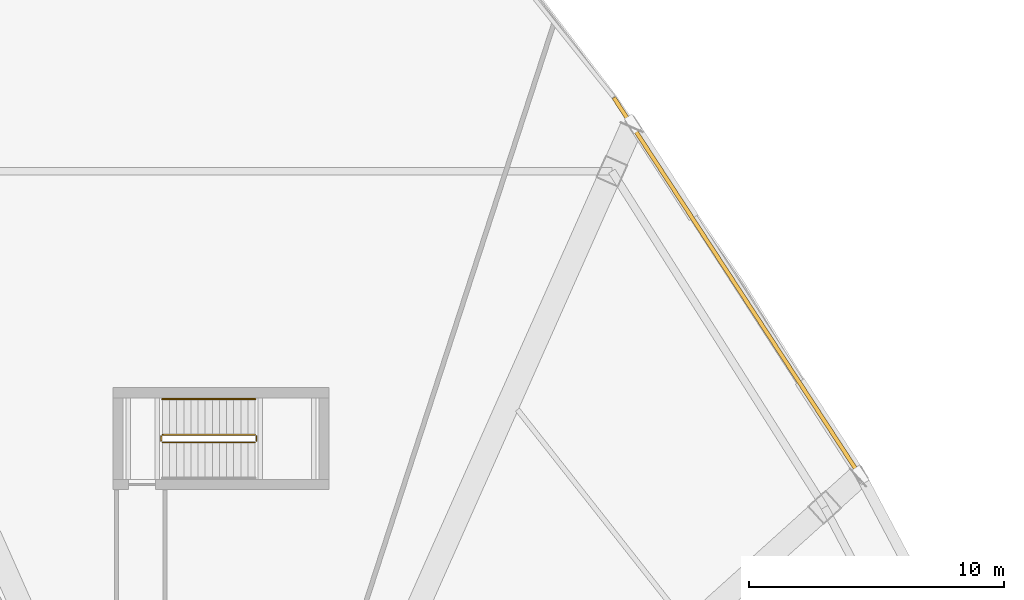
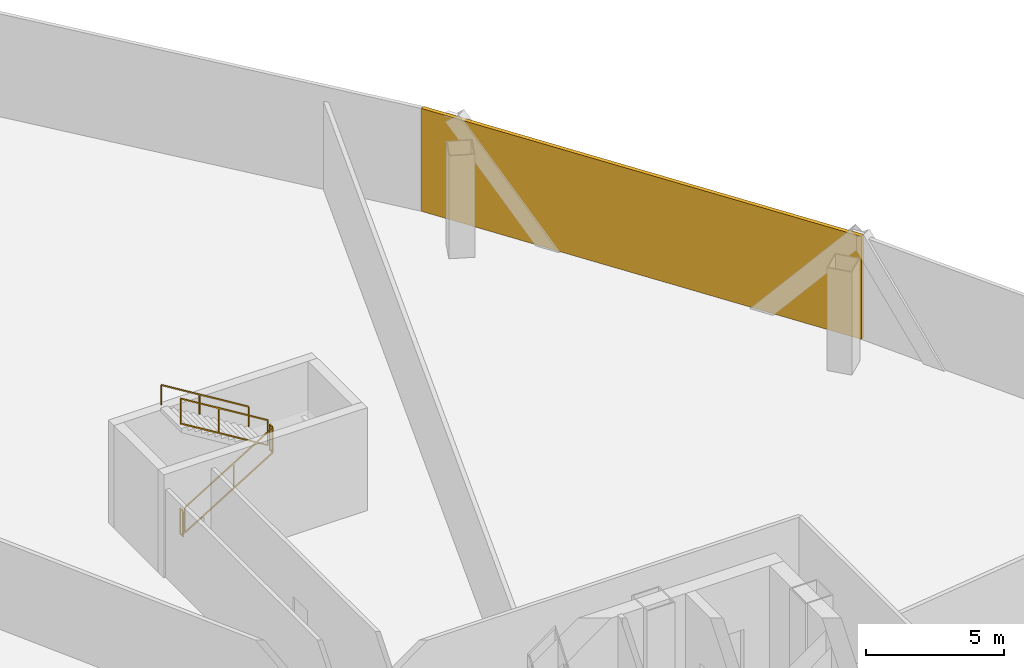
# One storey, part 14 of 15: 5 railings, 1 shading device.
"""IFC4 building model written with IfcOpenShell, lengths in metres."""

from ifc_helpers import new_model, si_unit, direction, frame, origin, origin_2d, place, context, subcontext, project, spatial, rectangle, extrude, source, transform, mapped, material, layer, layer_set, type_object, element, save


model = new_model("IFC4")

# Units and contexts
model_context = context("Model", 3, precision=1e-05, world=origin(), true_north=direction((0.0, 1.0)))
body_context = subcontext(model_context, "Body", "Model", "MODEL_VIEW")
ifc_project = project(units=[si_unit("LENGTHUNIT", "METRE"), si_unit("AREAUNIT", "SQUARE_METRE"), si_unit("VOLUMEUNIT", "CUBIC_METRE"), si_unit("PLANEANGLEUNIT", "RADIAN"), si_unit("MASSUNIT", "GRAM", prefix="KILO"), si_unit("THERMODYNAMICTEMPERATUREUNIT", "KELVIN"), si_unit("POWERUNIT", "WATT")], contexts=[model_context])

# Site, building, storey
site_placement = place(None, origin())
site = spatial("IfcSite", under=ifc_project, at=site_placement, CompositionType="ELEMENT")
building_placement = place(site_placement, origin())
building = spatial("IfcBuilding", under=site, at=building_placement, Name="Yunzhuo Pagoda Commons", CompositionType="ELEMENT")
storey_placement = place(building_placement, frame((0.0, 0.0, 125.030029296875)))
storey = spatial("IfcBuildingStorey", under=building, at=storey_placement, Name="L31", CompositionType="ELEMENT", Elevation=125.030029296875)

# Railings
ifc_material = material(Name="Anodized aluminium 6063-T6", Category="aluminium")
railing_type_1 = type_object("IfcRailingType", Name="GR-ST3 North Well Guardrail 1155", PredefinedType="GUARDRAIL", material=ifc_material)
railing_1_placement = place(storey_placement, frame((45.75, 57.64990234375, 0.17138671875)))
element("IfcRailing", 1, at=railing_1_placement, inside=storey, type_object=railing_type_1, Name="L31 ST3 stair guard 1", PredefinedType="GUARDRAIL", context=body_context, shape_type="SweptSolid", body=[
    extrude(rectangle(XDim=0.048095703125, YDim=0.048095703125, at=origin_2d()), frame((0.0, 0.0, 1.1259765625), z_axis=(0.852850264322, 0.0, 0.5221555579), x_axis=(0.0, 1.0, 0.0)), (0.0, 0.0, 1.0), 4.267822265625),
    extrude(rectangle(XDim=0.048095703125, YDim=0.048095703125, at=origin_2d()), frame((0.0, 0.0, 0.02392578125), z_axis=(0.852850264322, 0.0, 0.5221555579), x_axis=(0.0, 1.0, 0.0)), (0.0, 0.0, 1.0), 4.267822265625),
    extrude(rectangle(XDim=0.0419921875, YDim=0.0419921875, at=origin_2d()), origin(), (0.0, 0.0, 1.0), 1.101806640625),
    extrude(rectangle(XDim=0.0419921875, YDim=0.0419921875, at=origin_2d()), frame((2.046875, 0.0, 1.253173828125)), (0.0, 0.0, 1.0), 1.101806640625),
    extrude(rectangle(XDim=0.0419921875, YDim=0.0419921875, at=origin_2d()), frame((3.639892578125, 0.0, 2.228515625)), (0.0, 0.0, 1.0), 1.101806640625),
])
railing_2_placement = place(storey_placement, frame((49.43994140625, 57.699951171875, 2.39990234375)))
element("IfcRailing", 2, at=railing_2_placement, inside=storey, type_object=railing_type_1, Name="L31 ST3 stair guard 2", PredefinedType="GUARDRAIL", context=body_context, shape_type="SweptSolid", body=[
    extrude(rectangle(XDim=0.048095703125, YDim=0.048095703125, at=origin_2d()), frame((0.0, 0.0, 1.1259765625), z_axis=(0.0, 1.0, 0.0), x_axis=(-1.0, 0.0, 0.0)), (0.0, 0.0, 1.0), 0.199951171875),
    extrude(rectangle(XDim=0.048095703125, YDim=0.048095703125, at=origin_2d()), frame((0.0, 0.0, 0.02392578125), z_axis=(0.0, 1.0, 0.0), x_axis=(-1.0, 0.0, 0.0)), (0.0, 0.0, 1.0), 0.199951171875),
    extrude(rectangle(XDim=0.0419921875, YDim=0.0419921875, at=origin_2d()), origin(), (0.0, 0.0, 1.0), 1.101806640625),
    extrude(rectangle(XDim=0.0419921875, YDim=0.0419921875, at=origin_2d()), frame((0.0, 0.199951171875, 0.0)), (0.0, 0.0, 1.0), 1.101806640625),
])
railing_3_placement = place(storey_placement, frame((49.389892578125, 57.949951171875, 2.5712890625)))
element("IfcRailing", 3, at=railing_3_placement, inside=storey, type_object=railing_type_1, Name="L31 ST3 stair guard 3", PredefinedType="GUARDRAIL", context=body_context, shape_type="SweptSolid", body=[
    extrude(rectangle(XDim=0.048095703125, YDim=0.048095703125, at=origin_2d()), frame((0.0, 0.0, 1.1259765625), z_axis=(-0.852824790078, 0.0, 0.522197163366), x_axis=(0.0, -1.0, 0.0)), (0.0, 0.0, 1.0), 4.26806640625),
    extrude(rectangle(XDim=0.048095703125, YDim=0.048095703125, at=origin_2d()), frame((0.0, 0.0, 0.02392578125), z_axis=(-0.852824790078, 0.0, 0.522197163366), x_axis=(0.0, -1.0, 0.0)), (0.0, 0.0, 1.0), 4.26806640625),
    extrude(rectangle(XDim=0.0419921875, YDim=0.0419921875, at=origin_2d()), origin(), (0.0, 0.0, 1.0), 1.101806640625),
    extrude(rectangle(XDim=0.0419921875, YDim=0.0419921875, at=origin_2d()), frame((-2.046875, 0.0, 1.253173828125)), (0.0, 0.0, 1.0), 1.101806640625),
    extrude(rectangle(XDim=0.0419921875, YDim=0.0419921875, at=origin_2d()), frame((-3.639892578125, 0.0, 2.228759765625)), (0.0, 0.0, 1.0), 1.101806640625),
])
railing_4_placement = place(storey_placement, frame((45.699951171875, 57.699951171875, 0.0)))
element("IfcRailing", 4, at=railing_4_placement, inside=storey, type_object=railing_type_1, Name="L31 ST3 stair guard 4", PredefinedType="GUARDRAIL", context=body_context, shape_type="SweptSolid", body=[
    extrude(rectangle(XDim=0.048095703125, YDim=0.048095703125, at=origin_2d()), frame((0.0, 0.0, 1.1259765625), z_axis=(0.0, 1.0, 0.0), x_axis=(-1.0, 0.0, 0.0)), (0.0, 0.0, 1.0), 0.199951171875),
    extrude(rectangle(XDim=0.048095703125, YDim=0.048095703125, at=origin_2d()), frame((0.0, 0.0, 0.02392578125), z_axis=(0.0, 1.0, 0.0), x_axis=(-1.0, 0.0, 0.0)), (0.0, 0.0, 1.0), 0.199951171875),
    extrude(rectangle(XDim=0.0419921875, YDim=0.0419921875, at=origin_2d()), origin(), (0.0, 0.0, 1.0), 1.101806640625),
    extrude(rectangle(XDim=0.0419921875, YDim=0.0419921875, at=origin_2d()), frame((0.0, 0.199951171875, 0.0)), (0.0, 0.0, 1.0), 1.101806640625),
])
railing_type_2 = type_object("IfcRailingType", Name="HR-ST3 North Stair Handrail 900", PredefinedType="HANDRAIL", material=ifc_material)
railing_5_placement = place(storey_placement, frame((49.389892578125, 59.35009765625, 2.5712890625)))
element("IfcRailing", 5, at=railing_5_placement, inside=storey, type_object=railing_type_2, Name="L31 ST3 stair handrail 2", PredefinedType="HANDRAIL", context=body_context, shape_type="SweptSolid", body=[
    extrude(rectangle(XDim=0.048095703125, YDim=0.048095703125, at=origin_2d()), frame((0.0, 0.0, 0.8759765625), z_axis=(-0.852824790078, 0.0, 0.522197163366), x_axis=(0.0, -1.0, 0.0)), (0.0, 0.0, 1.0), 4.26806640625),
    extrude(rectangle(XDim=0.0419921875, YDim=0.0419921875, at=origin_2d()), origin(), (0.0, 0.0, 1.0), 0.851806640625),
    extrude(rectangle(XDim=0.0419921875, YDim=0.0419921875, at=origin_2d()), frame((-2.046875, 0.0, 1.253173828125)), (0.0, 0.0, 1.0), 0.851806640625),
    extrude(rectangle(XDim=0.0419921875, YDim=0.0419921875, at=origin_2d()), frame((-3.639892578125, 0.0, 2.228759765625)), (0.0, 0.0, 1.0), 0.851806640625),
])

# Shading device
ifc_layer = layer(ifc_material, 0.159912109375)
ifc_layer_set = layer_set([ifc_layer], Name="Anodized aluminium 6063-T6")
shading_device_type = type_object("IfcShadingDeviceType", Name="SH-SCR1 Stormproof Refuge Louvre Screen", PredefinedType="JALOUSIE", material=ifc_layer_set)
shared_shape = source(origin(), body_context, "Body", "SweptSolid", [
    extrude(rectangle(XDim=17.840087890625, YDim=0.159912109375, at=origin_2d()), origin(), (0.0, 0.0, 1.0), 4.5400390625),
])
shading_device_placement = place(storey_placement, frame((68.353759765625, 63.71923828125, 0.0), z_axis=(0.0, 0.0, 1.0), x_axis=(-0.545838756973, 0.837890238269, 0.0)))
element("IfcShadingDevice", 6, at=shading_device_placement, inside=storey, type_object=shading_device_type, Name="L31 stormproof refuge louvre screen F2.3", PredefinedType="JALOUSIE", context=body_context, shape_type="MappedRepresentation", body=[
    mapped(shared_shape, transform((0.0, 0.0, 0.0), scale=1.0)),
])

save(model, "model.ifc")
